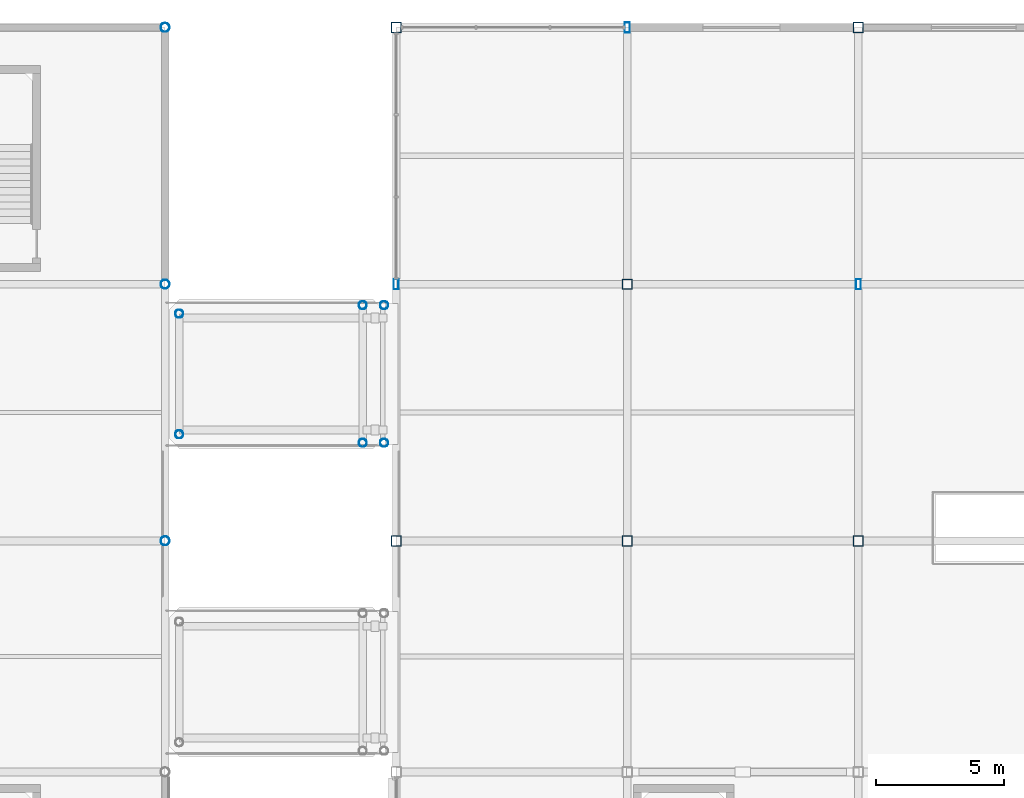
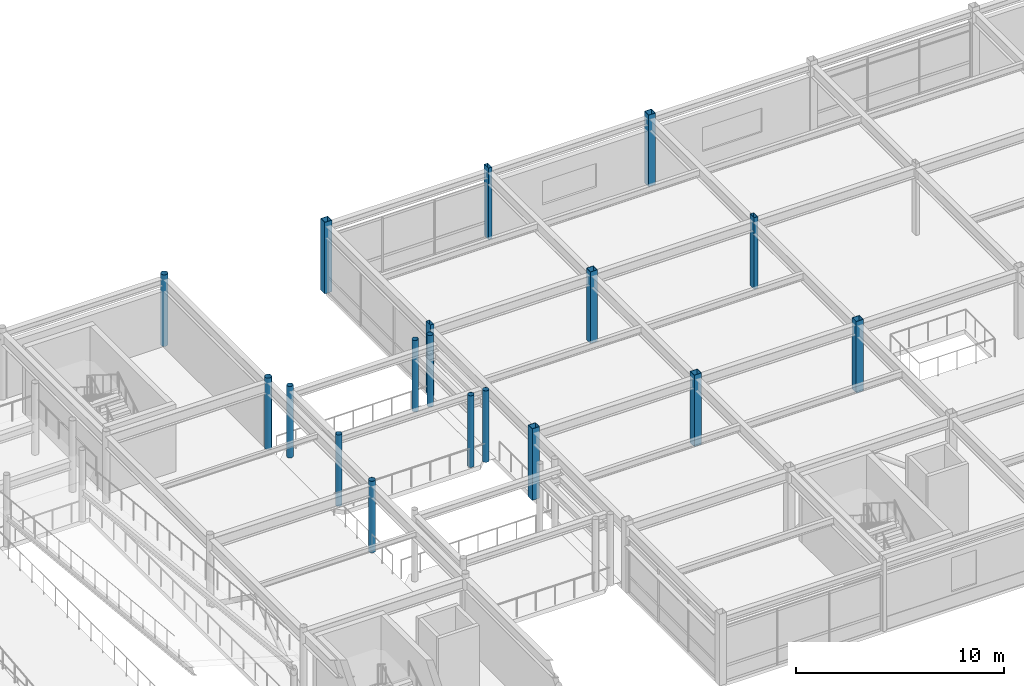
# One storey, part 12 of 108: 18 columns.
"""IFC4 building model written with IfcOpenShell, lengths in metres."""

from ifc_helpers import new_model, si_unit, direction, frame, origin, origin_2d, place, context, subcontext, project, spatial, hollow_rectangle, hollow_circle, extrude, material, material_profile, profile_set, type_object, element, save


model = new_model("IFC4")

# Units and contexts
model_context = context("Model", 3, precision=1e-05, world=origin(), true_north=direction((0.0, 1.0)))
body_context = subcontext(model_context, "Body", "Model", "MODEL_VIEW")
ifc_project = project(units=[si_unit("LENGTHUNIT", "METRE"), si_unit("AREAUNIT", "SQUARE_METRE"), si_unit("VOLUMEUNIT", "CUBIC_METRE"), si_unit("PLANEANGLEUNIT", "RADIAN"), si_unit("MASSUNIT", "GRAM", prefix="KILO")], contexts=[model_context])

# Site, building, storey
site_placement = place(None, origin())
site = spatial("IfcSite", under=ifc_project, at=site_placement, CompositionType="ELEMENT")
building_placement = place(site_placement, origin())
building = spatial("IfcBuilding", under=site, at=building_placement, Name="Suzunagisa Mobility Hub", CompositionType="ELEMENT")
storey_placement = place(building_placement, frame((0.0, 0.0, 9.300048828125)))
storey = spatial("IfcBuildingStorey", under=building, at=storey_placement, Name="L02", CompositionType="ELEMENT", Elevation=9.300048828125)

# Columns
ifc_material = material(Name="Steel SN490B", Category="steel")
ifc_material_profile_1 = material_profile(ifc_material, hollow_rectangle(XDim=0.199951171875, YDim=0.39990234375, WallThickness=0.011962890625, at=origin_2d()), Name="RHS-400x200x12")
ifc_profile_set_1 = profile_set([ifc_material_profile_1], Name="Steel SN490B")
column_type_1 = type_object("IfcColumnType", Name="Steel Column CL-03 RHS-400x200x12", PredefinedType="COLUMN", material=ifc_profile_set_1)
for number, where, z_axis, x_axis, name in (
    (1, (45.0, 108.0, 0.0), (0.0, 0.0, 1.0), (1.0, 0.0, 0.0), "L02 Column 121"),
    (2, (54.0, 118.0, 0.0), (0.0, 0.0, 1.0), (1.0, 0.0, 0.0), "L02 Column 133"),
    (3, (63.0, 108.0, 0.0), (0.0, 0.0, 1.0), (1.0, 0.0, 0.0), "L02 Column 141"),
):
    element("IfcColumn", number, at=place(storey_placement, frame(where, z_axis=z_axis, x_axis=x_axis)), inside=storey, type_object=column_type_1, Name=name, PredefinedType="COLUMN", context=body_context, shape_type="SweptSolid", body=[
        extrude(hollow_rectangle(XDim=0.199951171875, YDim=0.39990234375, WallThickness=0.011962890625, at=origin_2d()), origin(), (0.0, 0.0, 1.0), 4.199951171875),
    ])
ifc_material_profile_2 = material_profile(ifc_material, hollow_circle(Radius=0.1591796875, WallThickness=0.01025390625, at=origin_2d()), Name="CHS-318.5x10.3")
ifc_profile_set_2 = profile_set([ifc_material_profile_2], Name="Steel SN490B")
column_type_2 = type_object("IfcColumnType", Name="Steel Column CL-09 CHS-318.5x10.3", PredefinedType="COLUMN", material=ifc_profile_set_2)
for number, where, z_axis, x_axis, name in (
    (4, (36.550048828125, 102.14990234375, 0.0), (0.0, 0.0, 1.0), (1.0, 0.0, 0.0), "L02 Column 94"),
    (5, (36.550048828125, 106.85009765625, 0.0), (0.0, 0.0, 1.0), (1.0, 0.0, 0.0), "L02 Column 95"),
    (6, (43.699951171875, 101.820068359375, 0.0), (0.0, 0.0, 1.0), (1.0, 0.0, 0.0), "L02 Column 107"),
    (7, (43.699951171875, 107.179931640625, 0.0), (0.0, 0.0, 1.0), (1.0, 0.0, 0.0), "L02 Column 108"),
    (8, (44.530029296875, 101.820068359375, 0.0), (0.0, 0.0, 1.0), (1.0, 0.0, 0.0), "L02 Column 113"),
    (9, (44.530029296875, 107.179931640625, 0.0), (0.0, 0.0, 1.0), (1.0, 0.0, 0.0), "L02 Column 114"),
):
    element("IfcColumn", number, at=place(storey_placement, frame(where, z_axis=z_axis, x_axis=x_axis)), inside=storey, type_object=column_type_2, Name=name, PredefinedType="COLUMN", context=body_context, shape_type="SweptSolid", body=[
        extrude(hollow_circle(Radius=0.1591796875, WallThickness=0.01025390625, at=origin_2d()), origin(), (0.0, 0.0, 1.0), 4.199951171875),
    ])
ifc_material_profile_3 = material_profile(ifc_material, hollow_rectangle(XDim=0.39990234375, YDim=0.39990234375, WallThickness=0.01904296875, at=origin_2d()), Name="BCR-400x400x19")
ifc_profile_set_3 = profile_set([ifc_material_profile_3], Name="Steel SN490B")
column_type_3 = type_object("IfcColumnType", Name="Steel Column CL-13 BCR-400x400x19", PredefinedType="COLUMN", material=ifc_profile_set_3)
for number, where, z_axis, x_axis, name in (
    (10, (45.0, 98.0, 0.0), (0.0, 0.0, 1.0), (1.0, 0.0, 0.0), "L02 Column 120"),
    (11, (45.0, 118.0, 0.0), (0.0, 0.0, 1.0), (1.0, 0.0, 0.0), "L02 Column 122"),
    (12, (54.0, 98.0, 0.0), (0.0, 0.0, 1.0), (1.0, 0.0, 0.0), "L02 Column 131"),
    (13, (54.0, 108.0, 0.0), (0.0, 0.0, 1.0), (1.0, 0.0, 0.0), "L02 Column 132"),
    (14, (63.0, 98.0, 0.0), (0.0, 0.0, 1.0), (1.0, 0.0, 0.0), "L02 Column 140"),
    (15, (63.0, 118.0, 0.0), (0.0, 0.0, 1.0), (1.0, 0.0, 0.0), "L02 Column 142"),
):
    element("IfcColumn", number, at=place(storey_placement, frame(where, z_axis=z_axis, x_axis=x_axis)), inside=storey, type_object=column_type_3, Name=name, PredefinedType="COLUMN", context=body_context, shape_type="SweptSolid", body=[
        extrude(hollow_rectangle(XDim=0.39990234375, YDim=0.39990234375, WallThickness=0.01904296875, at=origin_2d()), origin(), (0.0, 0.0, 1.0), 4.199951171875),
    ])
ifc_material_profile_4 = material_profile(ifc_material, hollow_circle(Radius=0.177734375, WallThickness=0.0126953125, at=origin_2d()), Name="CHS-355.6x12.7")
ifc_profile_set_4 = profile_set([ifc_material_profile_4], Name="Steel SN490B")
column_type_4 = type_object("IfcColumnType", Name="Steel Column CL-18 CHS-355.6x12.7", PredefinedType="COLUMN", material=ifc_profile_set_4)
for number, where, z_axis, x_axis, name in (
    (16, (36.0, 98.0, 0.0), (0.0, 0.0, 1.0), (1.0, 0.0, 0.0), "L02 Column 87"),
    (17, (36.0, 108.0, 0.0), (0.0, 0.0, 1.0), (1.0, 0.0, 0.0), "L02 Column 88"),
    (18, (36.0, 118.0, 0.0), (0.0, 0.0, 1.0), (1.0, 0.0, 0.0), "L02 Column 89"),
):
    element("IfcColumn", number, at=place(storey_placement, frame(where, z_axis=z_axis, x_axis=x_axis)), inside=storey, type_object=column_type_4, Name=name, PredefinedType="COLUMN", context=body_context, shape_type="SweptSolid", body=[
        extrude(hollow_circle(Radius=0.177734375, WallThickness=0.0126953125, at=origin_2d()), origin(), (0.0, 0.0, 1.0), 4.199951171875),
    ])

save(model, "model.ifc")
